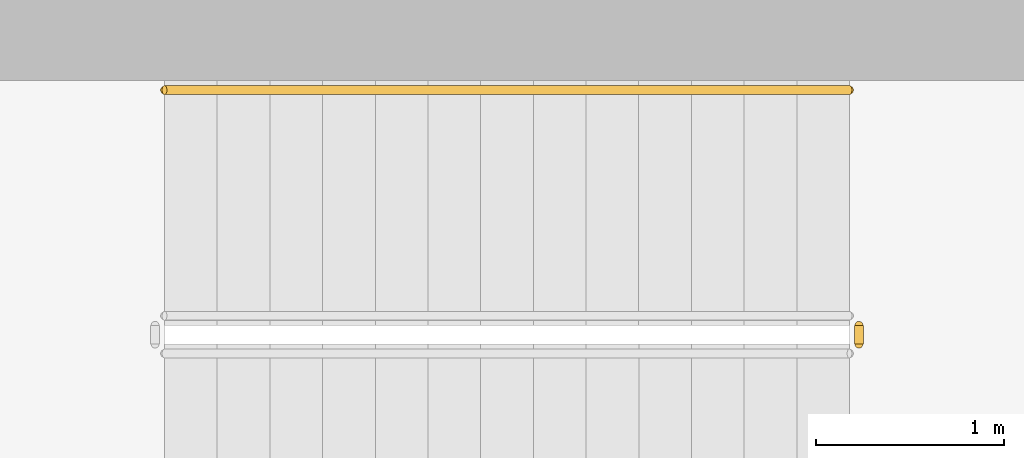
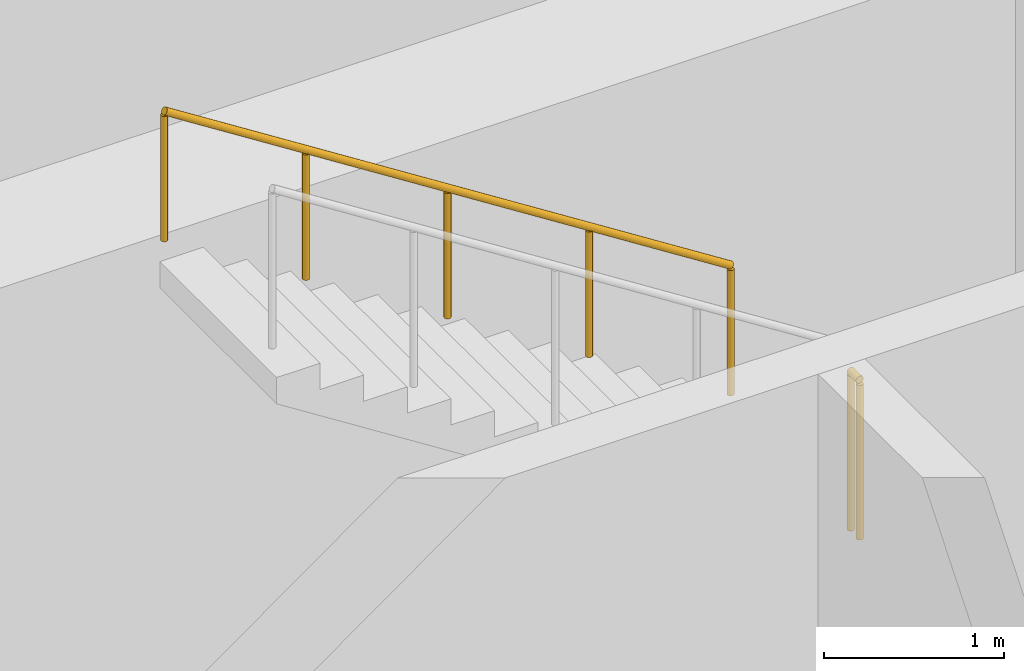
# One storey, part 26 of 35: 2 railings.
"""IFC4 building model written with IfcOpenShell, lengths in metres."""

from ifc_helpers import new_model, si_unit, direction, frame, origin, origin_2d, place, context, subcontext, project, spatial, circle, extrude, material, type_object, element, save


model = new_model("IFC4")

# Units and contexts
model_context = context("Model", 3, precision=1e-05, world=origin(), true_north=direction((0.0, 1.0)))
body_context = subcontext(model_context, "Body", "Model", "MODEL_VIEW")
ifc_project = project(units=[si_unit("LENGTHUNIT", "METRE"), si_unit("AREAUNIT", "SQUARE_METRE"), si_unit("VOLUMEUNIT", "CUBIC_METRE"), si_unit("PLANEANGLEUNIT", "RADIAN"), si_unit("MASSUNIT", "GRAM", prefix="KILO")], contexts=[model_context])

# Site, building, storey
site_placement = place(None, origin())
site = spatial("IfcSite", under=ifc_project, at=site_placement, CompositionType="ELEMENT")
building_placement = place(site_placement, origin())
building = spatial("IfcBuilding", under=site, at=building_placement, Name="Ogive Portal Towers", CompositionType="ELEMENT")
storey_placement = place(building_placement, frame((0.0, 0.0, 18.5)))
storey = spatial("IfcBuildingStorey", under=building, at=storey_placement, Name="L03", CompositionType="ELEMENT", Elevation=18.5)

# Railings
ifc_material_1 = material(Name="Stainless steel balustrade", Category="steel")
railing_type_1 = type_object("IfcRailingType", Name="INT-GUARD", PredefinedType="GUARDRAIL", material=ifc_material_1)
railing_1_placement = place(storey_placement, frame((56.239990234375, 37.64990234375, 2.5)))
element("IfcRailing", 1, at=railing_1_placement, inside=storey, type_object=railing_type_1, Name="L03 ST-A2 stair guard 2", PredefinedType="GUARDRAIL", context=body_context, shape_type="SweptSolid", body=[
    extrude(circle(Radius=0.02392578125, at=origin_2d()), frame((0.0, 0.0, 1.076171875), z_axis=(0.0, 1.0, 0.0), x_axis=(-1.0, 0.0, 0.0)), (0.0, 0.0, 1.0), 0.10009765625),
    extrude(circle(Radius=0.02099609375, at=origin_2d()), origin(), (0.0, 0.0, 1.0), 1.052001953125),
    extrude(circle(Radius=0.02099609375, at=origin_2d()), frame((0.0, 0.10009765625, 0.0)), (0.0, 0.0, 1.0), 1.052001953125),
])
ifc_material_2 = material(Name="Stainless steel handrail", Category="steel")
railing_type_2 = type_object("IfcRailingType", Name="INT-HANDRAIL", PredefinedType="HANDRAIL", material=ifc_material_2)
railing_2_placement = place(storey_placement, frame((56.18994140625, 39.0, 2.678466796875)))
element("IfcRailing", 2, at=railing_2_placement, inside=storey, type_object=railing_type_2, Name="L03 ST-A2 stair handrail 2", PredefinedType="HANDRAIL", context=body_context, shape_type="SweptSolid", body=[
    extrude(circle(Radius=0.02392578125, at=origin_2d()), frame((0.0, 0.0, 0.8759765625), z_axis=(-0.843111507901, 0.0, 0.53773877045), x_axis=(0.0, -1.0, 0.0)), (0.0, 0.0, 1.0), 4.317138671875),
    extrude(circle(Radius=0.02099609375, at=origin_2d()), origin(), (0.0, 0.0, 1.0), 0.851806640625),
    extrude(circle(Radius=0.02099609375, at=origin_2d()), frame((-0.909912109375, 0.0, 0.580322265625)), (0.0, 0.0, 1.0), 0.851806640625),
    extrude(circle(Radius=0.02099609375, at=origin_2d()), frame((-1.81982421875, 0.0, 1.16064453125)), (0.0, 0.0, 1.0), 0.851806640625),
    extrude(circle(Radius=0.02099609375, at=origin_2d()), frame((-2.72998046875, 0.0, 1.7412109375)), (0.0, 0.0, 1.0), 0.851806640625),
    extrude(circle(Radius=0.02099609375, at=origin_2d()), frame((-3.639892578125, 0.0, 2.321533203125)), (0.0, 0.0, 1.0), 0.851806640625),
])

save(model, "model.ifc")
